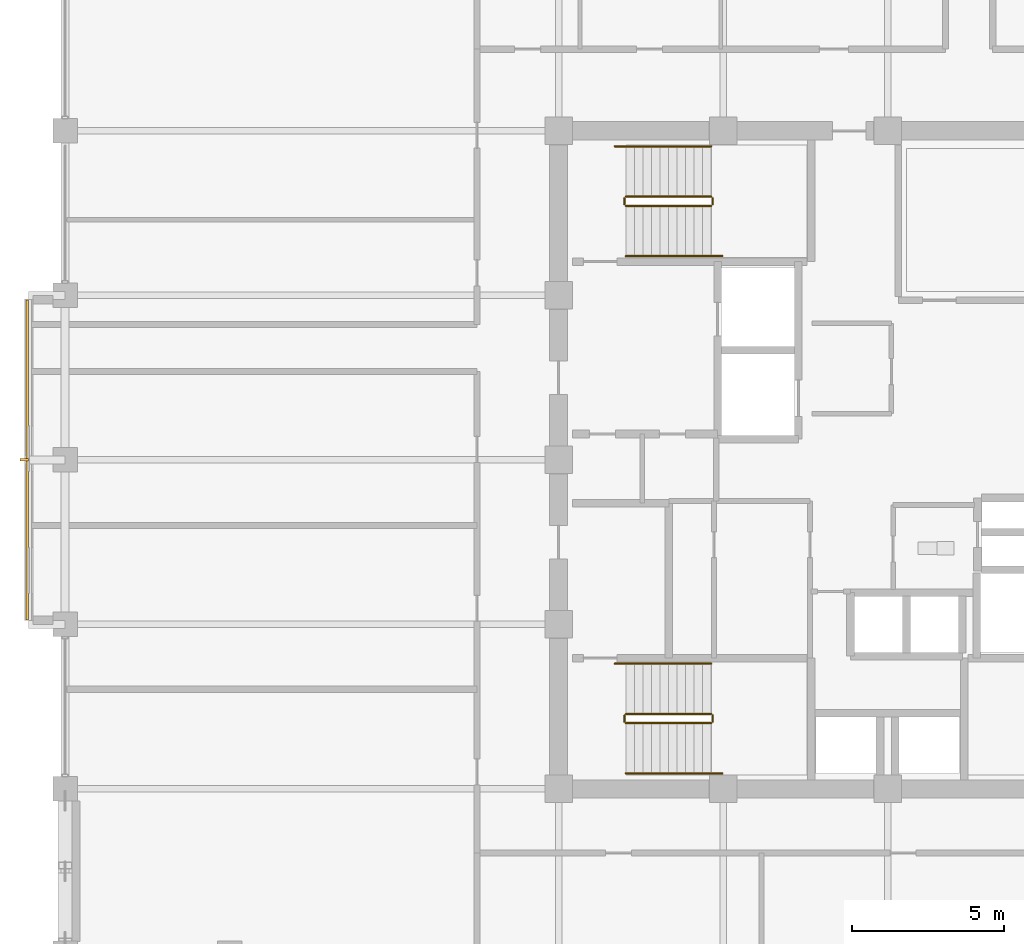
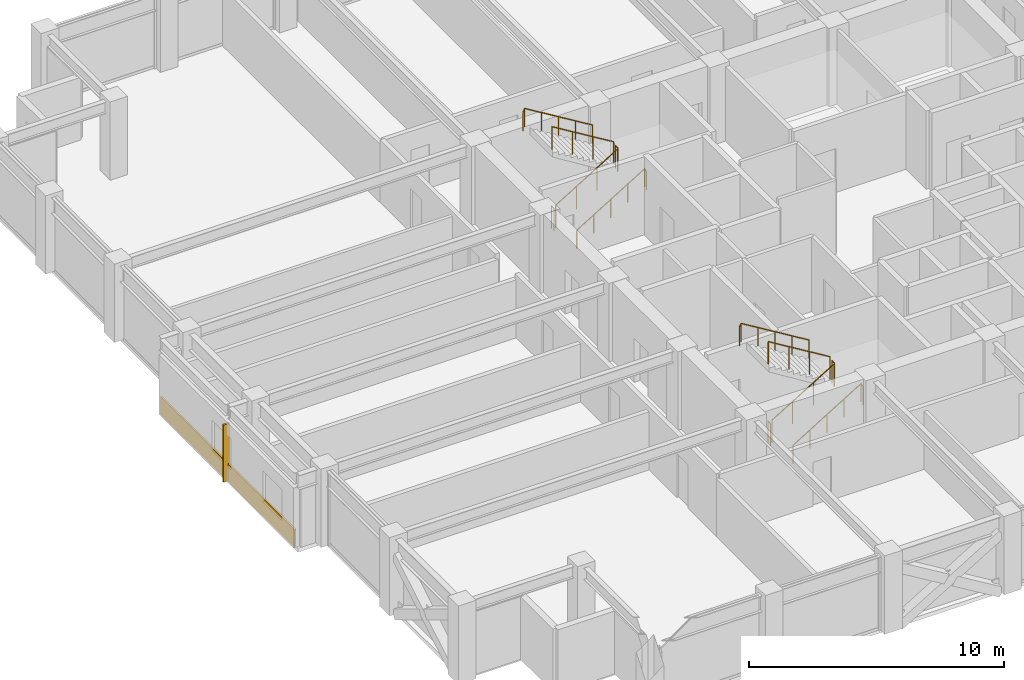
# One storey, part 28 of 30: 12 railings, 1 covering, 1 shading device.
"""IFC4 building model written with IfcOpenShell, lengths in metres."""

from ifc_helpers import new_model, si_unit, direction, frame, origin, origin_2d, place, context, subcontext, project, spatial, rectangle, circle, extrude, material, layer, layer_set, type_object, element, save


model = new_model("IFC4")

# Units and contexts
model_context = context("Model", 3, precision=1e-05, world=origin(), true_north=direction((0.0, 1.0)))
body_context = subcontext(model_context, "Body", "Model", "MODEL_VIEW")
ifc_project = project(units=[si_unit("LENGTHUNIT", "METRE"), si_unit("AREAUNIT", "SQUARE_METRE"), si_unit("VOLUMEUNIT", "CUBIC_METRE"), si_unit("PLANEANGLEUNIT", "RADIAN"), si_unit("MASSUNIT", "GRAM", prefix="KILO")], contexts=[model_context])

# Site, building, storey
site_placement = place(None, origin())
site = spatial("IfcSite", under=ifc_project, at=site_placement, CompositionType="ELEMENT")
building_placement = place(site_placement, origin())
building = spatial("IfcBuilding", under=site, at=building_placement, Name="Surkhivell Harbour Commons", CompositionType="ELEMENT")
storey_placement = place(building_placement, frame((0.0, 0.0, 227.25)))
storey = spatial("IfcBuildingStorey", under=building, at=storey_placement, Name="L59", CompositionType="ELEMENT", Elevation=227.25)

# Covering
ifc_material_1 = material(Name="Vermilion-coral enamelled aluminium cassette panel", Category="aluminium")
ifc_layer = layer(ifc_material_1, 0.074951171875)
ifc_layer_set = layer_set([ifc_layer], Name="Vermilion-coral enamelled aluminium cassette panel")
covering_type = type_object("IfcCoveringType", Name="COV-CLAD-VER", PredefinedType="CLADDING", material=ifc_layer_set)
covering_placement = place(storey_placement, frame((-28.239990234375, 0.0, 0.0), z_axis=(0.0, 0.0, 1.0), x_axis=(1.0, 0.0, 0.0)))
element("IfcCovering", 1, at=covering_placement, inside=storey, type_object=covering_type, Name="L59 Coloured-Panel Box Spandrel Cassette 02", PredefinedType="CLADDING", context=body_context, shape_type="SweptSolid", body=[
    extrude(rectangle(XDim=0.080078125, YDim=10.5, at=origin_2d()), origin(), (0.0, 0.0, 1.0), 0.840087890625),
])

# Railings
ifc_material_2 = material(Name="Galvanised and painted steel S355 guard rail", Category="steel")
railing_type_1 = type_object("IfcRailingType", Name="RAL-ST-GRD1100", PredefinedType="GUARDRAIL", material=ifc_material_2)
railing_1_placement = place(storey_placement, frame((-8.590087890625, 8.340087890625, 0.17041015625)))
element("IfcRailing", 2, at=railing_1_placement, inside=storey, type_object=railing_type_1, Name="L59 ST1 stair guard 1", PredefinedType="GUARDRAIL", context=body_context, shape_type="SweptSolid", body=[
    extrude(circle(Radius=0.02392578125, at=origin_2d()), frame((0.0, 0.0, 1.076171875), z_axis=(0.854169791009, 0.0, 0.51999420009), x_axis=(0.0, 1.0, 0.0)), (0.0, 0.0, 1.0), 3.278076171875),
    extrude(circle(Radius=0.02099609375, at=origin_2d()), origin(), (0.0, 0.0, 1.0), 1.052001953125),
    extrude(circle(Radius=0.02099609375, at=origin_2d()), frame((0.933349609375, 0.0, 0.568115234375)), (0.0, 0.0, 1.0), 1.052001953125),
    extrude(circle(Radius=0.02099609375, at=origin_2d()), frame((1.86669921875, 0.0, 1.136474609375)), (0.0, 0.0, 1.0), 1.052001953125),
    extrude(circle(Radius=0.02099609375, at=origin_2d()), frame((2.800048828125, 0.0, 1.70458984375)), (0.0, 0.0, 1.0), 1.052001953125),
])
railing_2_placement = place(storey_placement, frame((-5.739990234375, 8.389892578125, 1.875)))
element("IfcRailing", 3, at=railing_2_placement, inside=storey, type_object=railing_type_1, Name="L59 ST1 stair guard 2", PredefinedType="GUARDRAIL", context=body_context, shape_type="SweptSolid", body=[
    extrude(circle(Radius=0.02392578125, at=origin_2d()), frame((0.0, 0.0, 1.076171875), z_axis=(0.0, 1.0, 0.0), x_axis=(-1.0, 0.0, 0.0)), (0.0, 0.0, 1.0), 0.2001953125),
    extrude(circle(Radius=0.02099609375, at=origin_2d()), origin(), (0.0, 0.0, 1.0), 1.052001953125),
    extrude(circle(Radius=0.02099609375, at=origin_2d()), frame((0.0, 0.2001953125, 0.0)), (0.0, 0.0, 1.0), 1.052001953125),
])
railing_3_placement = place(storey_placement, frame((-5.7900390625, 8.639892578125, 2.04541015625)))
element("IfcRailing", 4, at=railing_3_placement, inside=storey, type_object=railing_type_1, Name="L59 ST1 stair guard 3", PredefinedType="GUARDRAIL", context=body_context, shape_type="SweptSolid", body=[
    extrude(circle(Radius=0.02392578125, at=origin_2d()), frame((0.0, 0.0, 1.076171875), z_axis=(-0.854169791009, 0.0, 0.51999420009), x_axis=(0.0, -1.0, 0.0)), (0.0, 0.0, 1.0), 3.278076171875),
    extrude(circle(Radius=0.02099609375, at=origin_2d()), origin(), (0.0, 0.0, 1.0), 1.052001953125),
    extrude(circle(Radius=0.02099609375, at=origin_2d()), frame((-0.933349609375, 0.0, 0.568115234375)), (0.0, 0.0, 1.0), 1.052001953125),
    extrude(circle(Radius=0.02099609375, at=origin_2d()), frame((-1.86669921875, 0.0, 1.136474609375)), (0.0, 0.0, 1.0), 1.052001953125),
    extrude(circle(Radius=0.02099609375, at=origin_2d()), frame((-2.800048828125, 0.0, 1.70458984375)), (0.0, 0.0, 1.0), 1.052001953125),
])
railing_4_placement = place(storey_placement, frame((-8.639892578125, 8.389892578125, 0.0)))
element("IfcRailing", 5, at=railing_4_placement, inside=storey, type_object=railing_type_1, Name="L59 ST1 stair guard 4", PredefinedType="GUARDRAIL", context=body_context, shape_type="SweptSolid", body=[
    extrude(circle(Radius=0.02392578125, at=origin_2d()), frame((0.0, 0.0, 1.076171875), z_axis=(0.0, 1.0, 0.0), x_axis=(-1.0, 0.0, 0.0)), (0.0, 0.0, 1.0), 0.2001953125),
    extrude(circle(Radius=0.02099609375, at=origin_2d()), origin(), (0.0, 0.0, 1.0), 1.052001953125),
    extrude(circle(Radius=0.02099609375, at=origin_2d()), frame((0.0, 0.2001953125, 0.0)), (0.0, 0.0, 1.0), 1.052001953125),
])
railing_5_placement = place(storey_placement, frame((-8.590087890625, -8.639892578125, 0.17041015625)))
element("IfcRailing", 6, at=railing_5_placement, inside=storey, type_object=railing_type_1, Name="L59 ST3 stair guard 1", PredefinedType="GUARDRAIL", context=body_context, shape_type="SweptSolid", body=[
    extrude(circle(Radius=0.02392578125, at=origin_2d()), frame((0.0, 0.0, 1.076171875), z_axis=(0.854169791009, 0.0, 0.51999420009), x_axis=(0.0, 1.0, 0.0)), (0.0, 0.0, 1.0), 3.278076171875),
    extrude(circle(Radius=0.02099609375, at=origin_2d()), origin(), (0.0, 0.0, 1.0), 1.052001953125),
    extrude(circle(Radius=0.02099609375, at=origin_2d()), frame((0.933349609375, 0.0, 0.568115234375)), (0.0, 0.0, 1.0), 1.052001953125),
    extrude(circle(Radius=0.02099609375, at=origin_2d()), frame((1.86669921875, 0.0, 1.136474609375)), (0.0, 0.0, 1.0), 1.052001953125),
    extrude(circle(Radius=0.02099609375, at=origin_2d()), frame((2.800048828125, 0.0, 1.70458984375)), (0.0, 0.0, 1.0), 1.052001953125),
])
railing_6_placement = place(storey_placement, frame((-5.739990234375, -8.590087890625, 1.875)))
element("IfcRailing", 7, at=railing_6_placement, inside=storey, type_object=railing_type_1, Name="L59 ST3 stair guard 2", PredefinedType="GUARDRAIL", context=body_context, shape_type="SweptSolid", body=[
    extrude(circle(Radius=0.02392578125, at=origin_2d()), frame((0.0, 0.0, 1.076171875), z_axis=(0.0, 1.0, 0.0), x_axis=(-1.0, 0.0, 0.0)), (0.0, 0.0, 1.0), 0.2001953125),
    extrude(circle(Radius=0.02099609375, at=origin_2d()), origin(), (0.0, 0.0, 1.0), 1.052001953125),
    extrude(circle(Radius=0.02099609375, at=origin_2d()), frame((0.0, 0.2001953125, 0.0)), (0.0, 0.0, 1.0), 1.052001953125),
])
railing_7_placement = place(storey_placement, frame((-5.7900390625, -8.340087890625, 2.04541015625)))
element("IfcRailing", 8, at=railing_7_placement, inside=storey, type_object=railing_type_1, Name="L59 ST3 stair guard 3", PredefinedType="GUARDRAIL", context=body_context, shape_type="SweptSolid", body=[
    extrude(circle(Radius=0.02392578125, at=origin_2d()), frame((0.0, 0.0, 1.076171875), z_axis=(-0.854169791009, 0.0, 0.51999420009), x_axis=(0.0, -1.0, 0.0)), (0.0, 0.0, 1.0), 3.278076171875),
    extrude(circle(Radius=0.02099609375, at=origin_2d()), origin(), (0.0, 0.0, 1.0), 1.052001953125),
    extrude(circle(Radius=0.02099609375, at=origin_2d()), frame((-0.933349609375, 0.0, 0.568115234375)), (0.0, 0.0, 1.0), 1.052001953125),
    extrude(circle(Radius=0.02099609375, at=origin_2d()), frame((-1.86669921875, 0.0, 1.136474609375)), (0.0, 0.0, 1.0), 1.052001953125),
    extrude(circle(Radius=0.02099609375, at=origin_2d()), frame((-2.800048828125, 0.0, 1.70458984375)), (0.0, 0.0, 1.0), 1.052001953125),
])
railing_8_placement = place(storey_placement, frame((-8.639892578125, -8.590087890625, 0.0)))
element("IfcRailing", 9, at=railing_8_placement, inside=storey, type_object=railing_type_1, Name="L59 ST3 stair guard 4", PredefinedType="GUARDRAIL", context=body_context, shape_type="SweptSolid", body=[
    extrude(circle(Radius=0.02392578125, at=origin_2d()), frame((0.0, 0.0, 1.076171875), z_axis=(0.0, 1.0, 0.0), x_axis=(-1.0, 0.0, 0.0)), (0.0, 0.0, 1.0), 0.2001953125),
    extrude(circle(Radius=0.02099609375, at=origin_2d()), origin(), (0.0, 0.0, 1.0), 1.052001953125),
    extrude(circle(Radius=0.02099609375, at=origin_2d()), frame((0.0, 0.2001953125, 0.0)), (0.0, 0.0, 1.0), 1.052001953125),
])
ifc_material_3 = material(Name="Brushed stainless steel S355 handrail", Category="steel")
railing_type_2 = type_object("IfcRailingType", Name="RAL-ST-HND900", PredefinedType="HANDRAIL", material=ifc_material_3)
railing_9_placement = place(storey_placement, frame((-8.590087890625, 6.68994140625, 0.17041015625)))
element("IfcRailing", 10, at=railing_9_placement, inside=storey, type_object=railing_type_2, Name="L59 ST1 stair handrail 1", PredefinedType="HANDRAIL", context=body_context, shape_type="SweptSolid", body=[
    extrude(circle(Radius=0.02392578125, at=origin_2d()), frame((0.0, 0.0, 0.8759765625), z_axis=(0.854177636135, 0.0, 0.519981313056), x_axis=(0.0, 1.0, 0.0)), (0.0, 0.0, 1.0), 3.60595703125),
    extrude(circle(Radius=0.02392578125, at=origin_2d()), frame((3.080078125, 0.0, 2.7509765625), z_axis=(0.425297416671, 0.0, -0.905053648892), x_axis=(0.0, 1.0, 0.0)), (0.0, 0.0, 1.0), 0.188232421875),
    extrude(circle(Radius=0.02099609375, at=origin_2d()), origin(), (0.0, 0.0, 1.0), 0.851806640625),
    extrude(circle(Radius=0.02099609375, at=origin_2d()), frame((0.77001953125, 0.0, 0.46875)), (0.0, 0.0, 1.0), 0.851806640625),
    extrude(circle(Radius=0.02099609375, at=origin_2d()), frame((1.5400390625, 0.0, 0.9375)), (0.0, 0.0, 1.0), 0.851806640625),
    extrude(circle(Radius=0.02099609375, at=origin_2d()), frame((2.31005859375, 0.0, 1.40625)), (0.0, 0.0, 1.0), 0.851806640625),
    extrude(circle(Radius=0.02099609375, at=origin_2d()), frame((3.080078125, 0.0, 1.875)), (0.0, 0.0, 1.0), 0.851806640625),
    extrude(circle(Radius=0.02099609375, at=origin_2d()), frame((3.16015625, 0.0, 1.70458984375)), (0.0, 0.0, 1.0), 0.851806640625),
])
railing_10_placement = place(storey_placement, frame((-5.7900390625, 10.2900390625, 2.04541015625)))
element("IfcRailing", 11, at=railing_10_placement, inside=storey, type_object=railing_type_2, Name="L59 ST1 stair handrail 2", PredefinedType="HANDRAIL", context=body_context, shape_type="SweptSolid", body=[
    extrude(circle(Radius=0.02392578125, at=origin_2d()), frame((0.0, 0.0, 0.8759765625), z_axis=(-0.854177636135, 0.0, 0.519981313056), x_axis=(0.0, -1.0, 0.0)), (0.0, 0.0, 1.0), 3.60595703125),
    extrude(circle(Radius=0.02392578125, at=origin_2d()), frame((-3.080078125, 0.0, 2.7509765625), z_axis=(-0.424234432967, 0.0, -0.905552398199), x_axis=(0.0, -1.0, 0.0)), (0.0, 0.0, 1.0), 0.188232421875),
    extrude(circle(Radius=0.02099609375, at=origin_2d()), origin(), (0.0, 0.0, 1.0), 0.851806640625),
    extrude(circle(Radius=0.02099609375, at=origin_2d()), frame((-0.77001953125, 0.0, 0.46875)), (0.0, 0.0, 1.0), 0.851806640625),
    extrude(circle(Radius=0.02099609375, at=origin_2d()), frame((-1.5400390625, 0.0, 0.9375)), (0.0, 0.0, 1.0), 0.851806640625),
    extrude(circle(Radius=0.02099609375, at=origin_2d()), frame((-2.31005859375, 0.0, 1.40625)), (0.0, 0.0, 1.0), 0.851806640625),
    extrude(circle(Radius=0.02099609375, at=origin_2d()), frame((-3.080078125, 0.0, 1.875)), (0.0, 0.0, 1.0), 0.851806640625),
    extrude(circle(Radius=0.02099609375, at=origin_2d()), frame((-3.159912109375, 0.0, 1.70458984375)), (0.0, 0.0, 1.0), 0.851806640625),
])
railing_11_placement = place(storey_placement, frame((-8.590087890625, -10.2900390625, 0.17041015625)))
element("IfcRailing", 12, at=railing_11_placement, inside=storey, type_object=railing_type_2, Name="L59 ST3 stair handrail 1", PredefinedType="HANDRAIL", context=body_context, shape_type="SweptSolid", body=[
    extrude(circle(Radius=0.02392578125, at=origin_2d()), frame((0.0, 0.0, 0.8759765625), z_axis=(0.854177636135, 0.0, 0.519981313056), x_axis=(0.0, 1.0, 0.0)), (0.0, 0.0, 1.0), 3.60595703125),
    extrude(circle(Radius=0.02392578125, at=origin_2d()), frame((3.080078125, 0.0, 2.7509765625), z_axis=(0.425297416671, 0.0, -0.905053648892), x_axis=(0.0, 1.0, 0.0)), (0.0, 0.0, 1.0), 0.188232421875),
    extrude(circle(Radius=0.02099609375, at=origin_2d()), origin(), (0.0, 0.0, 1.0), 0.851806640625),
    extrude(circle(Radius=0.02099609375, at=origin_2d()), frame((0.77001953125, 0.0, 0.46875)), (0.0, 0.0, 1.0), 0.851806640625),
    extrude(circle(Radius=0.02099609375, at=origin_2d()), frame((1.5400390625, 0.0, 0.9375)), (0.0, 0.0, 1.0), 0.851806640625),
    extrude(circle(Radius=0.02099609375, at=origin_2d()), frame((2.31005859375, 0.0, 1.40625)), (0.0, 0.0, 1.0), 0.851806640625),
    extrude(circle(Radius=0.02099609375, at=origin_2d()), frame((3.080078125, 0.0, 1.875)), (0.0, 0.0, 1.0), 0.851806640625),
    extrude(circle(Radius=0.02099609375, at=origin_2d()), frame((3.16015625, 0.0, 1.70458984375)), (0.0, 0.0, 1.0), 0.851806640625),
])
railing_12_placement = place(storey_placement, frame((-5.7900390625, -6.68994140625, 2.04541015625)))
element("IfcRailing", 13, at=railing_12_placement, inside=storey, type_object=railing_type_2, Name="L59 ST3 stair handrail 2", PredefinedType="HANDRAIL", context=body_context, shape_type="SweptSolid", body=[
    extrude(circle(Radius=0.02392578125, at=origin_2d()), frame((0.0, 0.0, 0.8759765625), z_axis=(-0.854177636135, 0.0, 0.519981313056), x_axis=(0.0, -1.0, 0.0)), (0.0, 0.0, 1.0), 3.60595703125),
    extrude(circle(Radius=0.02392578125, at=origin_2d()), frame((-3.080078125, 0.0, 2.7509765625), z_axis=(-0.424234432967, 0.0, -0.905552398199), x_axis=(0.0, -1.0, 0.0)), (0.0, 0.0, 1.0), 0.188232421875),
    extrude(circle(Radius=0.02099609375, at=origin_2d()), origin(), (0.0, 0.0, 1.0), 0.851806640625),
    extrude(circle(Radius=0.02099609375, at=origin_2d()), frame((-0.77001953125, 0.0, 0.46875)), (0.0, 0.0, 1.0), 0.851806640625),
    extrude(circle(Radius=0.02099609375, at=origin_2d()), frame((-1.5400390625, 0.0, 0.9375)), (0.0, 0.0, 1.0), 0.851806640625),
    extrude(circle(Radius=0.02099609375, at=origin_2d()), frame((-2.31005859375, 0.0, 1.40625)), (0.0, 0.0, 1.0), 0.851806640625),
    extrude(circle(Radius=0.02099609375, at=origin_2d()), frame((-3.080078125, 0.0, 1.875)), (0.0, 0.0, 1.0), 0.851806640625),
    extrude(circle(Radius=0.02099609375, at=origin_2d()), frame((-3.159912109375, 0.0, 1.70458984375)), (0.0, 0.0, 1.0), 0.851806640625),
])

# Shading device
ifc_material_4 = material(Name="Champagne anodised aluminium solar fin", Category="aluminium")
shading_device_type = type_object("IfcShadingDeviceType", Name="SHD-FIN-SLIM", PredefinedType="USERDEFINED", material=ifc_material_4)
shading_device_placement = place(storey_placement, frame((-28.340087890625, 0.0, 0.0048828125), z_axis=(0.0, 0.0, 1.0), x_axis=(1.0, 0.0, 0.0)))
element("IfcShadingDevice", 14, at=shading_device_placement, inside=storey, type_object=shading_device_type, Name="L59 Coloured-Box Solar Fin 02", ObjectType="FIN", PredefinedType="USERDEFINED", context=body_context, shape_type="SweptSolid", body=[
    extrude(rectangle(XDim=0.280029296875, YDim=0.080078125, at=origin_2d()), origin(), (0.0, 0.0, 1.0), 2.75),
])

save(model, "model.ifc")
